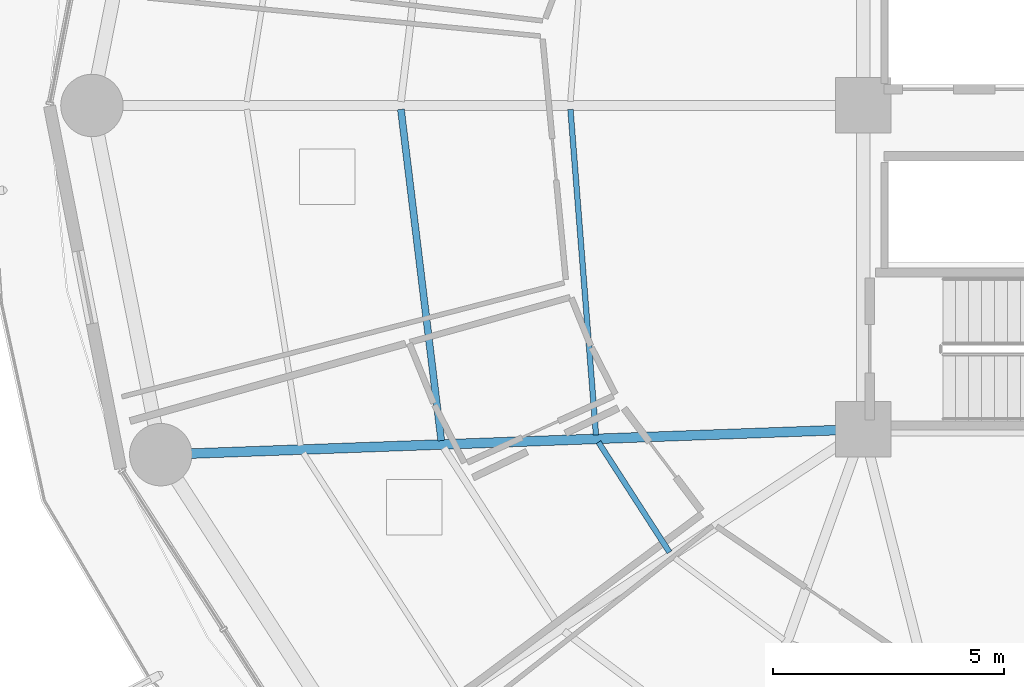
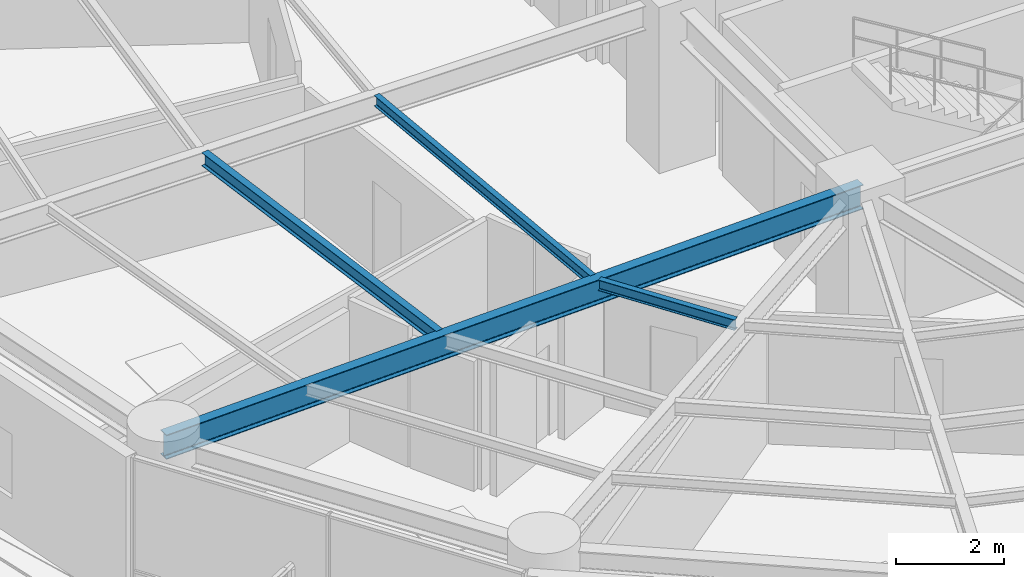
# One storey, part 7 of 36: 4 beams.
"""IFC4 building model written with IfcOpenShell, lengths in metres."""

from ifc_helpers import new_model, si_unit, direction, frame, origin, origin_2d, place, context, subcontext, project, spatial, i_section, extrude, material, material_profile, profile_set, type_object, element, save


model = new_model("IFC4")

# Units and contexts
model_context = context("Model", 3, precision=1e-05, world=origin(), true_north=direction((0.0, 1.0)))
body_context = subcontext(model_context, "Body", "Model", "MODEL_VIEW")
ifc_project = project(units=[si_unit("LENGTHUNIT", "METRE"), si_unit("AREAUNIT", "SQUARE_METRE"), si_unit("VOLUMEUNIT", "CUBIC_METRE"), si_unit("PLANEANGLEUNIT", "RADIAN"), si_unit("MASSUNIT", "GRAM", prefix="KILO")], contexts=[model_context])

# Site, building, storey
site_placement = place(None, origin())
site = spatial("IfcSite", under=ifc_project, at=site_placement, CompositionType="ELEMENT")
building_placement = place(site_placement, origin())
building = spatial("IfcBuilding", under=site, at=building_placement, Name="Kelanora Arch Commons", CompositionType="ELEMENT")
storey_placement = place(building_placement, frame((0.0, 0.0, 102.60009765625)))
storey = spatial("IfcBuildingStorey", under=building, at=storey_placement, Name="L26", CompositionType="ELEMENT", Elevation=102.60009765625)

# Beams
ifc_material = material(Name="Steel S355", Category="steel")
ifc_material_profile_1 = material_profile(ifc_material, i_section(OverallWidth=0.14990234375, OverallDepth=0.300048828125, WebThickness=0.007080078125, FlangeThickness=0.0107421875, FilletRadius=0.014892578125, at=origin_2d()), Name="IPE300")
ifc_profile_set_1 = profile_set([ifc_material_profile_1], Name="Steel S355")
beam_type_1 = type_object("IfcBeamType", Name="BM-JST-01", PredefinedType="JOIST", material=ifc_profile_set_1)
beam_1_placement = place(storey_placement, frame((56.002197265625, 57.91552734375, 3.33984375), z_axis=(0.120935645266, -0.992660349618, 0.0), x_axis=(0.992660349618, 0.120935645266, 0.0)))
element("IfcBeam", 1, at=beam_1_placement, inside=storey, type_object=beam_type_1, Name="Secondary Chord Joist BJB-18 L26", PredefinedType="JOIST", context=body_context, shape_type="SweptSolid", body=[
    extrude(i_section(OverallWidth=0.14990234375, OverallDepth=0.300048828125, WebThickness=0.007080078125, FlangeThickness=0.0107421875, FilletRadius=0.014892578125, at=origin_2d()), origin(), (0.0, 0.0, 1.0), 7.215087890625),
])
ifc_material_profile_2 = material_profile(ifc_material, i_section(OverallWidth=0.1201171875, OverallDepth=0.239990234375, WebThickness=0.006103515625, FlangeThickness=0.009765625, FilletRadius=0.014892578125, at=origin_2d()), Name="IPE240")
ifc_profile_set_2 = profile_set([ifc_material_profile_2], Name="Steel S355")
beam_type_2 = type_object("IfcBeamType", Name="BM-JST-02", PredefinedType="JOIST", material=ifc_profile_set_2)
beam_2_placement = place(storey_placement, frame((59.668212890625, 57.915283203125, 3.369873046875), z_axis=(0.078200677502, -0.996937637989, 0.0), x_axis=(0.996937637989, 0.078200677502, 0.0)))
element("IfcBeam", 2, at=beam_2_placement, inside=storey, type_object=beam_type_2, Name="Secondary Chord Joist BJA-18 L26", PredefinedType="JOIST", context=body_context, shape_type="SweptSolid", body=[
    extrude(i_section(OverallWidth=0.1201171875, OverallDepth=0.239990234375, WebThickness=0.006103515625, FlangeThickness=0.009765625, FilletRadius=0.014892578125, at=origin_2d()), origin(), (0.0, 0.0, 1.0), 7.06201171875),
])
beam_3_placement = place(storey_placement, frame((60.273193359375, 50.718994140625, 3.369873046875), z_axis=(0.542211255502, -0.840242199849, 0.0), x_axis=(0.840242199849, 0.542211255502, 0.0)))
element("IfcBeam", 3, at=beam_3_placement, inside=storey, type_object=beam_type_2, Name="Secondary Chord Joist BJA-20 L26", PredefinedType="JOIST", context=body_context, shape_type="SweptSolid", body=[
    extrude(i_section(OverallWidth=0.1201171875, OverallDepth=0.239990234375, WebThickness=0.006103515625, FlangeThickness=0.009765625, FilletRadius=0.014892578125, at=origin_2d()), origin(), (0.0, 0.0, 1.0), 2.83349609375),
])
ifc_material_profile_3 = material_profile(ifc_material, i_section(OverallWidth=0.2099609375, OverallDepth=0.550048828125, WebThickness=0.010986328125, FlangeThickness=0.01708984375, FilletRadius=0.02392578125, at=origin_2d()), Name="IPE550")
ifc_profile_set_3 = profile_set([ifc_material_profile_3], Name="Steel S355")
beam_type_3 = type_object("IfcBeamType", Name="BM-RAD-Z2", PredefinedType="BEAM", material=ifc_profile_set_3)
beam_4_placement = place(storey_placement, frame((66.0, 51.0, 3.21484375), z_axis=(-0.999341087625, -0.036295875581, 0.0), x_axis=(0.036295875581, -0.999341087625, 0.0)))
element("IfcBeam", 4, at=beam_4_placement, inside=storey, type_object=beam_type_3, Name="Radial Floor Girder BR-20 L26", PredefinedType="BEAM", context=body_context, shape_type="SweptSolid", body=[
    extrude(i_section(OverallWidth=0.2099609375, OverallDepth=0.550048828125, WebThickness=0.010986328125, FlangeThickness=0.01708984375, FilletRadius=0.02392578125, at=origin_2d()), origin(), (0.0, 0.0, 1.0), 15.20166015625),
])

save(model, "model.ifc")
